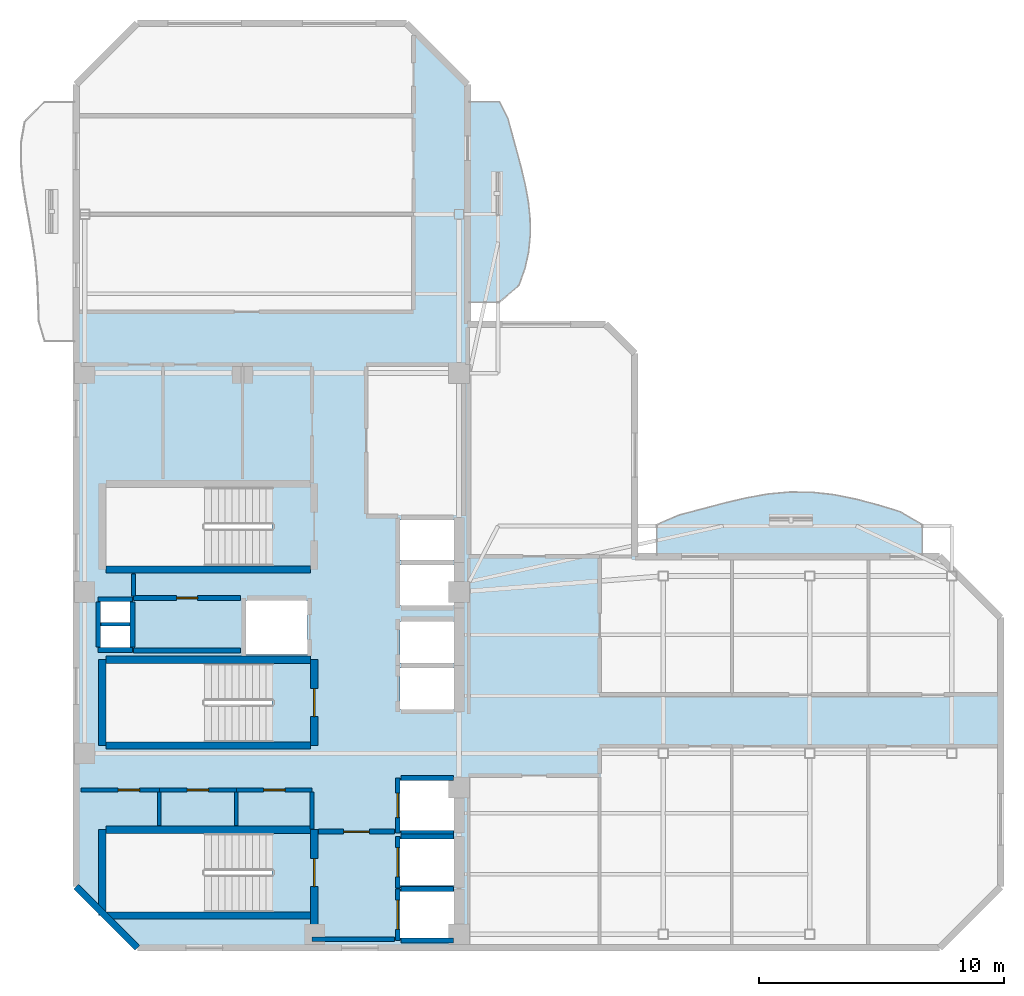
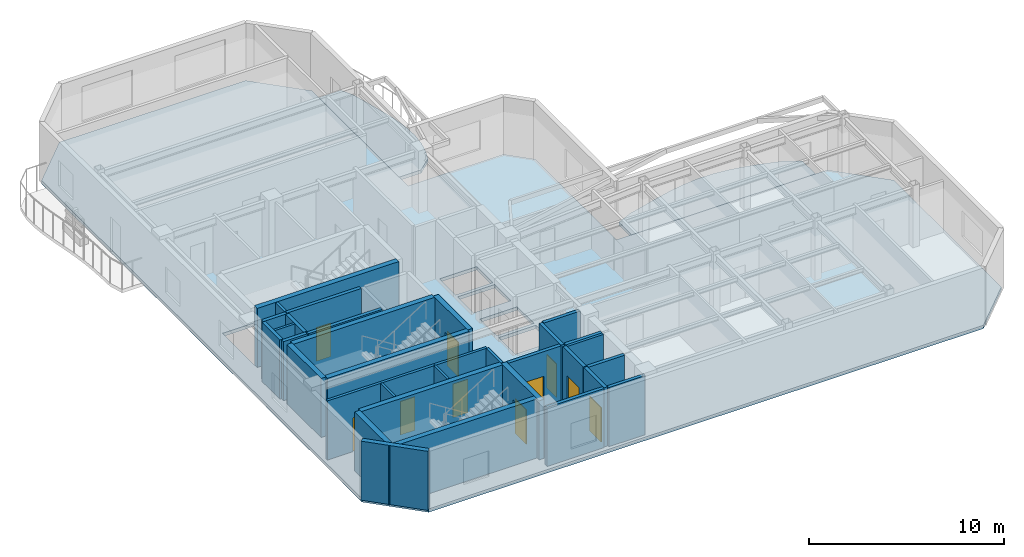
# One storey, part 2 of 7: 34 walls, 10 doors, 3 slabs, 10 openings.
"""IFC4 building model written with IfcOpenShell, lengths in metres."""

from ifc_helpers import new_model, si_unit, direction, frame, frame_2d, origin, place, context, subcontext, project, spatial, polyline, rectangle, outline, extrude, material, layer, layer_set, type_object, element, fill, save


model = new_model("IFC4")

# Units and contexts
model_context = context("Model", 3, precision=1e-05, world=origin(), true_north=direction((0.0, 1.0)))
body_context = subcontext(model_context, "Body", "Model", "MODEL_VIEW")
ifc_project = project(units=[si_unit("LENGTHUNIT", "METRE"), si_unit("AREAUNIT", "SQUARE_METRE"), si_unit("VOLUMEUNIT", "CUBIC_METRE"), si_unit("PLANEANGLEUNIT", "RADIAN"), si_unit("MASSUNIT", "GRAM", prefix="KILO")], contexts=[model_context])

# Site, building, storey
site_placement = place(None, origin())
site = spatial("IfcSite", under=ifc_project, at=site_placement, CompositionType="ELEMENT")
building_placement = place(site_placement, origin())
building = spatial("IfcBuilding", under=site, at=building_placement, Name="Mawjaban Terraces University", CompositionType="ELEMENT")
storey_placement = place(building_placement, frame((0.0, 0.0, 252.10009765625)))
storey = spatial("IfcBuildingStorey", under=building, at=storey_placement, Name="L61", CompositionType="ELEMENT", Elevation=252.10009765625)

# Slabs
ifc_material_1 = material(Name="Concrete C40/50", Category="concrete")
ifc_layer_1 = layer(ifc_material_1, 0.2099609375)
ifc_layer_set_1 = layer_set([ifc_layer_1], Name="Concrete C40/50")
slab_type_1 = type_object("IfcSlabType", Name="BalconySlab_210_Ext", PredefinedType="FLOOR", material=ifc_layer_set_1)
slab_1_placement = place(storey_placement, frame((0.0, 0.0, -0.210205078125)))
element("IfcSlab", 1, at=slab_1_placement, inside=storey, type_object=slab_type_1, Name="L61 Planted Balcony Slab inner_north", PredefinedType="FLOOR", context=body_context, shape_type="SweptSolid", body=[
    extrude(outline(polyline([(45.739990234375, 15.989990234375), (56.60009765625, 15.989990234375), (56.60009765625, 17.300048828125), (55.695068359375, 17.8310546875), (54.7900390625, 18.10693359375), (53.885009765625, 18.345947265625), (52.97998046875, 18.528076171875), (52.074951171875, 18.62890625), (51.169921875, 18.636962890625), (50.264892578125, 18.552001953125), (49.360107421875, 18.387939453125), (48.455078125, 18.172119140625), (47.550048828125, 17.931884765625), (46.64501953125, 17.694091796875), (45.739990234375, 17.300048828125), (45.739990234375, 15.989990234375)])), origin(), (0.0, 0.0, 1.0), 0.210205078125),
])
slab_2_placement = place(storey_placement, frame((0.0, 0.0, -0.210205078125)))
element("IfcSlab", 2, at=slab_2_placement, inside=storey, type_object=slab_type_1, Name="L61 Planted Balcony Slab inner_east", PredefinedType="FLOOR", context=body_context, shape_type="SweptSolid", body=[
    extrude(outline(polyline([(39.300048828125, 26.39990234375), (40.10009765625, 27.0830078125), (40.346923828125, 27.76708984375), (40.49609375, 28.449951171875), (40.56396484375, 29.133056640625), (40.55810546875, 29.81689453125), (40.487060546875, 30.5), (40.364013671875, 31.18310546875), (40.201904296875, 31.866943359375), (40.02099609375, 32.550048828125), (39.833984375, 33.23291015625), (39.64892578125, 33.9169921875), (39.300048828125, 34.60009765625), (37.989990234375, 34.60009765625), (37.989990234375, 26.39990234375), (39.300048828125, 26.39990234375)])), origin(), (0.0, 0.0, 1.0), 0.210205078125),
])
ifc_layer_2 = layer(ifc_material_1, 0.2099609375)
ifc_layer_set_2 = layer_set([ifc_layer_2], Name="Concrete C40/50")
slab_type_2 = type_object("IfcSlabType", Name="CompositeSlab_210", PredefinedType="FLOOR", material=ifc_layer_set_2)
slab_3_placement = place(storey_placement, frame((0.0, 0.0, -0.210205078125)))
element("IfcSlab", 3, at=slab_3_placement, inside=storey, type_object=slab_type_2, Name="L61 Primary Structural Slab", PredefinedType="FLOOR", context=body_context, shape_type="SweptSolid", body=[
    extrude(outline(polyline([(24.5, 0.0), (57.300048828125, 0.0), (59.800048828125, 2.5), (59.800048828125, 13.5), (57.300048828125, 16.0), (44.840087890625, 16.0), (44.840087890625, 24.300048828125), (43.639892578125, 25.5), (38.0, 25.5), (38.0, 35.300048828125), (35.5, 37.800048828125), (24.5, 37.800048828125), (22.0, 35.300048828125), (22.0, 2.5), (24.5, 0.0)]), holes=[polyline([(30.014892578125, 4.699951171875), (23.199951171875, 4.699951171875), (23.199951171875, 1.449951171875), (30.014892578125, 1.449951171875), (30.014892578125, 4.699951171875)]), polyline([(30.014892578125, 18.85009765625), (23.199951171875, 18.85009765625), (23.199951171875, 15.60009765625), (30.014892578125, 15.60009765625), (30.014892578125, 18.85009765625)]), polyline([(30.014892578125, 11.64990234375), (23.199951171875, 11.64990234375), (23.199951171875, 8.39990234375), (30.014892578125, 8.39990234375), (30.014892578125, 11.64990234375)]), polyline([(35.25, 0.39990234375), (37.449951171875, 0.39990234375), (37.449951171875, 2.300048828125), (35.25, 2.300048828125), (35.25, 0.39990234375)]), polyline([(35.25, 2.550048828125), (37.449951171875, 2.550048828125), (37.449951171875, 4.449951171875), (35.25, 4.449951171875), (35.25, 2.550048828125)]), polyline([(35.25, 4.800048828125), (37.449951171875, 4.800048828125), (37.449951171875, 6.85009765625), (35.25, 6.85009765625), (35.25, 4.800048828125)]), polyline([(35.25, 9.75), (37.449951171875, 9.75), (37.449951171875, 11.449951171875), (35.25, 11.449951171875), (35.25, 9.75)]), polyline([(35.25, 11.64990234375), (37.449951171875, 11.64990234375), (37.449951171875, 13.35009765625), (35.25, 13.35009765625), (35.25, 11.64990234375)]), polyline([(28.949951171875, 12.0), (31.449951171875, 12.0), (31.449951171875, 14.199951171875), (28.949951171875, 14.199951171875), (28.949951171875, 12.0)]), polyline([(35.25, 14.0), (37.449951171875, 14.0), (37.449951171875, 15.64990234375), (35.25, 15.64990234375), (35.25, 14.0)]), polyline([(35.25, 15.85009765625), (37.449951171875, 15.85009765625), (37.449951171875, 17.5), (35.25, 17.5), (35.25, 15.85009765625)]), polyline([(23.0, 12.25), (24.199951171875, 12.25), (24.199951171875, 13.14990234375), (23.0, 13.14990234375), (23.0, 12.25)]), polyline([(23.0, 13.300048828125), (24.199951171875, 13.300048828125), (24.199951171875, 14.179931640625), (23.0, 14.179931640625), (23.0, 13.300048828125)])]), origin(), (0.0, 0.0, 1.0), 0.210205078125),
])

# Wall, opening, door
ifc_material_2 = material(Name="Fire-rated gypsum board on steel stud", Category="steel")
ifc_layer_3 = layer(ifc_material_2, 0.159912109375)
ifc_layer_set_3 = layer_set([ifc_layer_3], Name="Fire-rated gypsum board on steel stud")
wall_type_1 = type_object("IfcWallType", Name="CorridorPartition_160", PredefinedType="PARTITIONING", material=ifc_layer_set_3)
wall_1_placement = place(storey_placement, frame((22.199951171875, 6.449951171875, 0.0), z_axis=(0.0, 0.0, 1.0), x_axis=(1.0, 0.0, 0.0)))
wall_1 = element("IfcWall", 4, at=wall_1_placement, inside=storey, type_object=wall_type_1, Name="L61 Core Washroom Lobby Partition 1", PredefinedType="PARTITIONING", context=body_context, shape_type="SweptSolid", body=[
    extrude(rectangle(XDim=3.199951171875, YDim=0.159912109375, at=frame_2d((1.60009765625, 0.0))), origin(), (0.0, 0.0, 1.0), 3.68994140625),
])
opening_1_placement = place(wall_1_placement, frame((1.510009765625, 0.0, 0.0)))
opening_1 = element("IfcOpeningElement", 5, at=opening_1_placement, cuts=wall_1, Name="Opening ID-088", PredefinedType="OPENING", context=body_context, shape_type="SweptSolid", body=[
    extrude(rectangle(XDim=0.8798828125, YDim=2.10009765625, at=frame_2d((0.43994140625, 1.050048828125))), frame((0.0, 0.08984375, 0.0), z_axis=(0.0, -1.0, 0.0), x_axis=(1.0, 0.0, 0.0)), (0.0, 0.0, 1.0), 0.179931640625),
])
ifc_material_3 = material(Name="Powder-coated steel frame and solid acoustic timber leaf", Category="steel")
door_type_1 = type_object("IfcDoorType", Name="ToiletDoor_880x2100", OperationType="NOTDEFINED", PredefinedType="DOOR", material=ifc_material_3)
door_1_placement = place(opening_1_placement, origin())
door_1 = element("IfcDoor", 6, at=door_1_placement, inside=storey, type_object=door_type_1, Name="L61 Male Toilet Door", OperationType="SINGLE_SWING_LEFT", OverallHeight=2.10009765625, OverallWidth=0.8798828125, PredefinedType="DOOR", context=body_context, shape_type="SweptSolid", body=[
    extrude(rectangle(XDim=0.8798828125, YDim=2.10009765625, at=frame_2d((0.43994140625, 1.050048828125))), frame((0.0, 0.02490234375, 0.0), z_axis=(0.0, -1.0, 0.0), x_axis=(1.0, 0.0, 0.0)), (0.0, 0.0, 1.0), 0.050048828125),
])
fill(opening_1, door_1)

wall_2_placement = place(storey_placement, frame((25.39990234375, 6.449951171875, 0.0), z_axis=(0.0, 0.0, 1.0), x_axis=(1.0, 0.0, 0.0)))
wall_2 = element("IfcWall", 7, at=wall_2_placement, inside=storey, type_object=wall_type_1, Name="L61 Core Washroom Lobby Partition 4", PredefinedType="PARTITIONING", context=body_context, shape_type="SweptSolid", body=[
    extrude(rectangle(XDim=3.150146484375, YDim=0.159912109375, at=frame_2d((1.5751953125, 0.0))), origin(), (0.0, 0.0, 1.0), 3.68994140625),
])
opening_2_placement = place(wall_2_placement, frame((1.135009765625, 0.0, 0.0)))
opening_2 = element("IfcOpeningElement", 8, at=opening_2_placement, cuts=wall_2, Name="Opening ID-088", PredefinedType="OPENING", context=body_context, shape_type="SweptSolid", body=[
    extrude(rectangle(XDim=0.8798828125, YDim=2.10009765625, at=frame_2d((0.43994140625, 1.050048828125))), frame((0.0, 0.08984375, 0.0), z_axis=(0.0, -1.0, 0.0), x_axis=(1.0, 0.0, 0.0)), (0.0, 0.0, 1.0), 0.179931640625),
])
door_2_placement = place(opening_2_placement, origin())
door_2 = element("IfcDoor", 9, at=door_2_placement, inside=storey, type_object=door_type_1, Name="L61 Female Toilet Door", OperationType="SINGLE_SWING_RIGHT", OverallHeight=2.10009765625, OverallWidth=0.8798828125, PredefinedType="DOOR", context=body_context, shape_type="SweptSolid", body=[
    extrude(rectangle(XDim=0.8798828125, YDim=2.10009765625, at=frame_2d((0.43994140625, 1.050048828125))), frame((0.0, 0.02490234375, 0.0), z_axis=(0.0, -1.0, 0.0), x_axis=(1.0, 0.0, 0.0)), (0.0, 0.0, 1.0), 0.050048828125),
])
fill(opening_2, door_2)

wall_3_placement = place(storey_placement, frame((28.550048828125, 6.449951171875, 0.0), z_axis=(0.0, 0.0, 1.0), x_axis=(1.0, 0.0, 0.0)))
wall_3 = element("IfcWall", 10, at=wall_3_placement, inside=storey, type_object=wall_type_1, Name="L61 Core Washroom Lobby Partition 6", PredefinedType="PARTITIONING", context=body_context, shape_type="SweptSolid", body=[
    extrude(rectangle(XDim=3.099853515625, YDim=0.159912109375, at=frame_2d((1.5498046875, 0.0))), origin(), (0.0, 0.0, 1.0), 3.68994140625),
])
opening_3_placement = place(wall_3_placement, frame((1.110107421875, 0.0, 0.0)))
opening_3 = element("IfcOpeningElement", 11, at=opening_3_placement, cuts=wall_3, Name="Opening ID-088", PredefinedType="OPENING", context=body_context, shape_type="SweptSolid", body=[
    extrude(rectangle(XDim=0.8798828125, YDim=2.10009765625, at=frame_2d((0.43994140625, 1.050048828125))), frame((0.0, 0.08984375, 0.0), z_axis=(0.0, -1.0, 0.0), x_axis=(1.0, 0.0, 0.0)), (0.0, 0.0, 1.0), 0.179931640625),
])
door_3_placement = place(opening_3_placement, origin())
door_3 = element("IfcDoor", 12, at=door_3_placement, inside=storey, type_object=door_type_1, Name="L61 Accessible Toilet Door", OperationType="SINGLE_SWING_LEFT", OverallHeight=2.10009765625, OverallWidth=0.8798828125, PredefinedType="DOOR", context=body_context, shape_type="SweptSolid", body=[
    extrude(rectangle(XDim=0.8798828125, YDim=2.10009765625, at=frame_2d((0.43994140625, 1.050048828125))), frame((0.0, 0.02490234375, 0.0), z_axis=(0.0, -1.0, 0.0), x_axis=(1.0, 0.0, 0.0)), (0.0, 0.0, 1.0), 0.050048828125),
])
fill(opening_3, door_3)

# Walls
wall_4_placement = place(storey_placement, frame((24.35009765625, 15.2900390625, 0.0), z_axis=(0.0, 0.0, 1.0), x_axis=(0.0, -1.0, 0.0)))
element("IfcWall", 13, at=wall_4_placement, inside=storey, type_object=wall_type_1, Name="L61 Core Riser Access Passage Partition 25", PredefinedType="PARTITIONING", context=body_context, shape_type="SweptSolid", body=[
    extrude(rectangle(XDim=0.89501953125, YDim=0.159912109375, at=frame_2d((0.447509765625, 0.0))), origin(), (0.0, 0.0, 1.0), 3.68994140625),
])
wall_5_placement = place(storey_placement, frame((31.64990234375, 4.860107421875, 0.0), z_axis=(0.0, 0.0, 1.0), x_axis=(0.0, 1.0, 0.0)))
element("IfcWall", 14, at=wall_5_placement, inside=storey, type_object=wall_type_1, Name="L61 Accessible Toilet Partition 30", PredefinedType="PARTITIONING", context=body_context, shape_type="SweptSolid", body=[
    extrude(rectangle(XDim=1.514892578125, YDim=0.159912109375, at=frame_2d((0.75732421875, 0.0))), origin(), (0.0, 0.0, 1.0), 3.68994140625),
])
ifc_material_4 = material(Name="Insulated terracotta rainscreen on concrete backup C40/50", Category="masonry")
ifc_layer_4 = layer(ifc_material_4, 0.27490234375)
ifc_layer_set_4 = layer_set([ifc_layer_4], Name="Insulated terracotta rainscreen on concrete backup C40/50")
wall_type_2 = type_object("IfcWallType", Name="ExtTerracottaWall_275", PredefinedType="SOLIDWALL", material=ifc_layer_set_4)
wall_6_placement = place(storey_placement, frame((22.0, 2.5, 0.0), z_axis=(0.0, 0.0, 1.0), x_axis=(0.707106781187, -0.707106781187, 0.0)))
element("IfcWall", 15, at=wall_6_placement, inside=storey, type_object=wall_type_2, Name="L61 Exterior Terracotta Wall 14", PredefinedType="SOLIDWALL", context=body_context, shape_type="SweptSolid", body=[
    extrude(rectangle(XDim=3.53564453125, YDim=0.27490234375, at=frame_2d((1.767822265625, 0.0))), origin(), (0.0, 0.0, 1.0), 3.68994140625),
])

# Wall, opening, door
ifc_layer_5 = layer(ifc_material_1, 0.199951171875)
ifc_layer_set_5 = layer_set([ifc_layer_5], Name="Concrete C40/50")
wall_type_3 = type_object("IfcWallType", Name="FireLobbyWall_200", PredefinedType="SOLIDWALL", material=ifc_layer_set_5)
wall_7_placement = place(storey_placement, frame((35.14990234375, 2.39990234375, 0.0), z_axis=(0.0, 0.0, 1.0), x_axis=(0.0, -1.0, 0.0)))
wall_7 = element("IfcWall", 16, at=wall_7_placement, inside=storey, type_object=wall_type_3, Name="L61 Lift FL-1 Hoistway Wall West", PredefinedType="SOLIDWALL", context=body_context, shape_type="SweptSolid", body=[
    extrude(rectangle(XDim=2.099853515625, YDim=0.199951171875, at=frame_2d((1.0498046875, 0.0))), origin(), (0.0, 0.0, 1.0), 3.68994140625),
])
opening_4_placement = place(wall_7_placement, frame((0.449951171875, 0.0, 0.0)))
opening_4 = element("IfcOpeningElement", 17, at=opening_4_placement, cuts=wall_7, Name="Opening LD-FL-1", PredefinedType="OPENING", context=body_context, shape_type="SweptSolid", body=[
    extrude(rectangle(XDim=1.199951171875, YDim=2.14990234375, at=frame_2d((0.60009765625, 1.074951171875))), frame((0.0, 0.10986328125, 0.0), z_axis=(0.0, -1.0, 0.0), x_axis=(1.0, 0.0, 0.0)), (0.0, 0.0, 1.0), 0.219970703125),
])
ifc_material_5 = material(Name="Powder-coated steel frame and fire-rated steel-faced leaf", Category="steel")
door_type_2 = type_object("IfcDoorType", Name="LiftLandingFSAE_1200x2150", OperationType="NOTDEFINED", PredefinedType="DOOR", material=ifc_material_5)
door_4_placement = place(opening_4_placement, origin())
door_4 = element("IfcDoor", 18, at=door_4_placement, inside=storey, type_object=door_type_2, Name="L61 Lift FL-1 Sliding Landing Door", OperationType="DOUBLE_DOOR_SLIDING", OverallHeight=2.14990234375, OverallWidth=1.199951171875, PredefinedType="DOOR", context=body_context, shape_type="SweptSolid", body=[
    extrude(rectangle(XDim=1.199951171875, YDim=2.14990234375, at=frame_2d((0.60009765625, 1.074951171875))), frame((0.0, 0.02490234375, 0.0), z_axis=(0.0, -1.0, 0.0), x_axis=(1.0, 0.0, 0.0)), (0.0, 0.0, 1.0), 0.050048828125),
])
fill(opening_4, door_4)

# Walls
for number, where, z_axis, x_axis, name in (
    (19, (35.280029296875, 0.300048828125, 0.0), (0.0, 0.0, 1.0), (1.0, 0.0, 0.0), "L61 Lift FL-1 Hoistway Wall South"),
    (20, (37.419921875, 2.39990234375, 0.0), (0.0, 0.0, 1.0), (-1.0, 0.0, 0.0), "L61 Lift FL-1 Hoistway Wall North"),
):
    element("IfcWall", number, at=place(storey_placement, frame(where, z_axis=z_axis, x_axis=x_axis)), inside=storey, type_object=wall_type_3, Name=name, PredefinedType="SOLIDWALL", context=body_context, shape_type="SweptSolid", body=[
        extrude(rectangle(XDim=2.139892578125, YDim=0.199951171875, at=frame_2d((1.06982421875, 0.0))), origin(), (0.0, 0.0, 1.0), 3.68994140625),
    ])

# Wall, opening, door
wall_8_placement = place(storey_placement, frame((35.14990234375, 4.550048828125, 0.0), z_axis=(0.0, 0.0, 1.0), x_axis=(0.0, -1.0, 0.0)))
wall_8 = element("IfcWall", 21, at=wall_8_placement, inside=storey, type_object=wall_type_3, Name="L61 Lift FL-2 Hoistway Wall West", PredefinedType="SOLIDWALL", context=body_context, shape_type="SweptSolid", body=[
    extrude(rectangle(XDim=2.10009765625, YDim=0.199951171875, at=frame_2d((1.050048828125, 0.0))), origin(), (0.0, 0.0, 1.0), 3.68994140625),
])
opening_5_placement = place(wall_8_placement, frame((0.449951171875, 0.0, 0.0)))
opening_5 = element("IfcOpeningElement", 22, at=opening_5_placement, cuts=wall_8, Name="Opening LD-FL-2", PredefinedType="OPENING", context=body_context, shape_type="SweptSolid", body=[
    extrude(rectangle(XDim=1.199951171875, YDim=2.14990234375, at=frame_2d((0.60009765625, 1.074951171875))), frame((0.0, 0.10986328125, 0.0), z_axis=(0.0, -1.0, 0.0), x_axis=(1.0, 0.0, 0.0)), (0.0, 0.0, 1.0), 0.219970703125),
])
door_5_placement = place(opening_5_placement, origin())
door_5 = element("IfcDoor", 23, at=door_5_placement, inside=storey, type_object=door_type_2, Name="L61 Lift FL-2 Sliding Landing Door", OperationType="DOUBLE_DOOR_SLIDING", OverallHeight=2.14990234375, OverallWidth=1.199951171875, PredefinedType="DOOR", context=body_context, shape_type="SweptSolid", body=[
    extrude(rectangle(XDim=1.199951171875, YDim=2.14990234375, at=frame_2d((0.60009765625, 1.074951171875))), frame((0.0, 0.02490234375, 0.0), z_axis=(0.0, -1.0, 0.0), x_axis=(1.0, 0.0, 0.0)), (0.0, 0.0, 1.0), 0.050048828125),
])
fill(opening_5, door_5)

# Wall
wall_9_placement = place(storey_placement, frame((37.419921875, 4.550048828125, 0.0), z_axis=(0.0, 0.0, 1.0), x_axis=(-1.0, 0.0, 0.0)))
element("IfcWall", 24, at=wall_9_placement, inside=storey, type_object=wall_type_3, Name="L61 Lift FL-2 Hoistway Wall North", PredefinedType="SOLIDWALL", context=body_context, shape_type="SweptSolid", body=[
    extrude(rectangle(XDim=2.139892578125, YDim=0.199951171875, at=frame_2d((1.06982421875, 0.0))), origin(), (0.0, 0.0, 1.0), 3.68994140625),
])

# Wall, opening, door
wall_10_placement = place(storey_placement, frame((35.14990234375, 6.949951171875, 0.0), z_axis=(0.0, 0.0, 1.0), x_axis=(0.0, -1.0, 0.0)))
wall_10 = element("IfcWall", 25, at=wall_10_placement, inside=storey, type_object=wall_type_3, Name="L61 Lift SL-1 Hoistway Wall West", PredefinedType="SOLIDWALL", context=body_context, shape_type="SweptSolid", body=[
    extrude(rectangle(XDim=2.25, YDim=0.199951171875, at=frame_2d((1.125, 0.0))), origin(), (0.0, 0.0, 1.0), 3.68994140625),
])
opening_6_placement = place(wall_10_placement, frame((0.625, 0.0, 0.0)))
opening_6 = element("IfcOpeningElement", 26, at=opening_6_placement, cuts=wall_10, Name="Opening LD-SL-1", PredefinedType="OPENING", context=body_context, shape_type="SweptSolid", body=[
    extrude(rectangle(XDim=1.0, YDim=2.10009765625, at=frame_2d((0.5, 1.050048828125))), frame((0.0, 0.10986328125, 0.0), z_axis=(0.0, -1.0, 0.0), x_axis=(1.0, 0.0, 0.0)), (0.0, 0.0, 1.0), 0.219970703125),
])
door_type_3 = type_object("IfcDoorType", Name="LiftLandingSliding_1000x2100", OperationType="NOTDEFINED", PredefinedType="DOOR", material=ifc_material_5)
door_6_placement = place(opening_6_placement, origin())
door_6 = element("IfcDoor", 27, at=door_6_placement, inside=storey, type_object=door_type_3, Name="L61 Lift SL-1 Sliding Landing Door", OperationType="DOUBLE_DOOR_SLIDING", OverallHeight=2.10009765625, OverallWidth=1.0, PredefinedType="DOOR", context=body_context, shape_type="SweptSolid", body=[
    extrude(rectangle(XDim=1.0, YDim=2.10009765625, at=frame_2d((0.5, 1.050048828125))), frame((0.0, 0.02490234375, 0.0), z_axis=(0.0, -1.0, 0.0), x_axis=(1.0, 0.0, 0.0)), (0.0, 0.0, 1.0), 0.050048828125),
])
fill(opening_6, door_6)

# Walls
for number, where, z_axis, x_axis, name in (
    (28, (35.280029296875, 4.699951171875, 0.0), (0.0, 0.0, 1.0), (1.0, 0.0, 0.0), "L61 Lift SL-1 Hoistway Wall South"),
    (29, (37.419921875, 6.949951171875, 0.0), (0.0, 0.0, 1.0), (-1.0, 0.0, 0.0), "L61 Lift SL-1 Hoistway Wall North"),
):
    element("IfcWall", number, at=place(storey_placement, frame(where, z_axis=z_axis, x_axis=x_axis)), inside=storey, type_object=wall_type_3, Name=name, PredefinedType="SOLIDWALL", context=body_context, shape_type="SweptSolid", body=[
        extrude(rectangle(XDim=2.139892578125, YDim=0.199951171875, at=frame_2d((1.06982421875, 0.0))), origin(), (0.0, 0.0, 1.0), 3.68994140625),
    ])
for number, where, z_axis, x_axis, name in (
    (30, (22.89990234375, 14.25, 0.0), (0.0, 0.0, 1.0), (1.0, 0.0, 0.0), "L61 MEP Riser Shaft Wall N"),
    (31, (22.89990234375, 12.179931640625, 0.0), (0.0, 0.0, 1.0), (1.0, 0.0, 0.0), "L61 MEP Riser Shaft Wall S"),
):
    element("IfcWall", number, at=place(storey_placement, frame(where, z_axis=z_axis, x_axis=x_axis)), inside=storey, type_object=wall_type_3, Name=name, PredefinedType="SOLIDWALL", context=body_context, shape_type="SweptSolid", body=[
        extrude(rectangle(XDim=1.400146484375, YDim=0.199951171875, at=frame_2d((0.7001953125, 0.0))), origin(), (0.0, 0.0, 1.0), 3.68994140625),
    ])
for number, where, z_axis, x_axis, name in (
    (32, (24.300048828125, 12.300048828125, 0.0), (0.0, 0.0, 1.0), (0.0, 1.0, 0.0), "L61 MEP Riser Shaft Wall E"),
    (33, (22.89990234375, 12.300048828125, 0.0), (0.0, 0.0, 1.0), (0.0, 1.0, 0.0), "L61 MEP Riser Shaft Wall W"),
):
    element("IfcWall", number, at=place(storey_placement, frame(where, z_axis=z_axis, x_axis=x_axis)), inside=storey, type_object=wall_type_3, Name=name, PredefinedType="SOLIDWALL", context=body_context, shape_type="SweptSolid", body=[
        extrude(rectangle(XDim=1.829833984375, YDim=0.199951171875, at=frame_2d((0.9150390625, 0.0))), origin(), (0.0, 0.0, 1.0), 3.68994140625),
    ])
wall_11_placement = place(storey_placement, frame((24.35009765625, 12.14990234375, 0.0), z_axis=(0.0, 0.0, 1.0), x_axis=(1.0, 0.0, 0.0)))
element("IfcWall", 34, at=wall_11_placement, inside=storey, type_object=wall_type_3, Name="L61 IT and Telecoms Riser Room Partition 2", PredefinedType="SOLIDWALL", context=body_context, shape_type="SweptSolid", body=[
    extrude(rectangle(XDim=4.369873046875, YDim=0.199951171875, at=frame_2d((2.18505859375, 0.0))), origin(), (0.0, 0.0, 1.0), 3.68994140625),
])

# Wall, opening, door
wall_12_placement = place(storey_placement, frame((24.35009765625, 14.300048828125, 0.0), z_axis=(0.0, 0.0, 1.0), x_axis=(1.0, 0.0, 0.0)))
wall_12 = element("IfcWall", 35, at=wall_12_placement, inside=storey, type_object=wall_type_3, Name="L61 Core Riser Access Passage Partition 3", PredefinedType="SOLIDWALL", context=body_context, shape_type="SweptSolid", body=[
    extrude(rectangle(XDim=4.369873046875, YDim=0.199951171875, at=frame_2d((2.18505859375, 0.0))), origin(), (0.0, 0.0, 1.0), 3.68994140625),
])
opening_7_placement = place(wall_12_placement, frame((1.760009765625, 0.0, 0.0)))
opening_7 = element("IfcOpeningElement", 36, at=opening_7_placement, cuts=wall_12, Name="Opening FD-085", PredefinedType="OPENING", context=body_context, shape_type="SweptSolid", body=[
    extrude(rectangle(XDim=0.85009765625, YDim=2.10009765625, at=frame_2d((0.425048828125, 1.050048828125))), frame((0.0, 0.10986328125, 0.0), z_axis=(0.0, -1.0, 0.0), x_axis=(1.0, 0.0, 0.0)), (0.0, 0.0, 1.0), 0.219970703125),
])
door_type_4 = type_object("IfcDoorType", Name="FireRiserDoor_850x2100", OperationType="NOTDEFINED", PredefinedType="DOOR", material=ifc_material_5)
door_7_placement = place(opening_7_placement, origin())
door_7 = element("IfcDoor", 37, at=door_7_placement, inside=storey, type_object=door_type_4, Name="L61 IT and Telecoms Riser Room Door", OperationType="SINGLE_SWING_RIGHT", OverallHeight=2.10009765625, OverallWidth=0.85009765625, PredefinedType="DOOR", context=body_context, shape_type="SweptSolid", body=[
    extrude(rectangle(XDim=0.85009765625, YDim=2.10009765625, at=frame_2d((0.425048828125, 1.050048828125))), frame((0.0, 0.02490234375, 0.0), z_axis=(0.0, -1.0, 0.0), x_axis=(1.0, 0.0, 0.0)), (0.0, 0.0, 1.0), 0.050048828125),
])
fill(opening_7, door_7)

# Wall
wall_13_placement = place(storey_placement, frame((31.64990234375, 0.35009765625, 0.0), z_axis=(0.0, 0.0, 1.0), x_axis=(1.0, 0.0, 0.0)))
element("IfcWall", 38, at=wall_13_placement, inside=storey, type_object=wall_type_3, Name="L61 Firefighting Lift Lobby Partition 8", PredefinedType="SOLIDWALL", context=body_context, shape_type="SweptSolid", body=[
    extrude(rectangle(XDim=3.3701171875, YDim=0.199951171875, at=frame_2d((1.68505859375, 0.0))), origin(), (0.0, 0.0, 1.0), 3.68994140625),
])

# Wall, opening, door
wall_14_placement = place(storey_placement, frame((35.02001953125, 4.75, 0.0), z_axis=(0.0, 0.0, 1.0), x_axis=(-1.0, 0.0, 0.0)))
wall_14 = element("IfcWall", 39, at=wall_14_placement, inside=storey, type_object=wall_type_3, Name="L61 Firefighting Lift Lobby Partition 11", PredefinedType="SOLIDWALL", context=body_context, shape_type="SweptSolid", body=[
    extrude(rectangle(XDim=3.110107421875, YDim=0.199951171875, at=frame_2d((1.55517578125, 0.0))), origin(), (0.0, 0.0, 1.0), 3.68994140625),
])
opening_8_placement = place(wall_14_placement, frame((1.030029296875, 0.0, 0.0)))
opening_8 = element("IfcOpeningElement", 40, at=opening_8_placement, cuts=wall_14, Name="Opening FD-105", PredefinedType="OPENING", context=body_context, shape_type="SweptSolid", body=[
    extrude(rectangle(XDim=1.050048828125, YDim=2.14990234375, at=frame_2d((0.52490234375, 1.074951171875))), frame((0.0, 0.10986328125, 0.0), z_axis=(0.0, -1.0, 0.0), x_axis=(1.0, 0.0, 0.0)), (0.0, 0.0, 1.0), 0.219970703125),
])
door_type_5 = type_object("IfcDoorType", Name="FireLobbyDoor_1050x2150", OperationType="NOTDEFINED", PredefinedType="DOOR", material=ifc_material_5)
door_8_placement = place(opening_8_placement, origin())
door_8 = element("IfcDoor", 41, at=door_8_placement, inside=storey, type_object=door_type_5, Name="L61 Firefighting Lift Lobby Door", OperationType="SINGLE_SWING_RIGHT", OverallHeight=2.14990234375, OverallWidth=1.050048828125, PredefinedType="DOOR", context=body_context, shape_type="SweptSolid", body=[
    extrude(rectangle(XDim=1.050048828125, YDim=2.14990234375, at=frame_2d((0.52490234375, 1.074951171875))), frame((0.0, 0.02490234375, 0.0), z_axis=(0.0, -1.0, 0.0), x_axis=(1.0, 0.0, 0.0)), (0.0, 0.0, 1.0), 0.050048828125),
])
fill(opening_8, door_8)

# Walls
ifc_material_6 = material(Name="Moisture-resistant gypsum board on steel stud", Category="steel")
ifc_layer_6 = layer(ifc_material_6, 0.14501953125)
ifc_layer_set_6 = layer_set([ifc_layer_6], Name="Moisture-resistant gypsum board on steel stud")
wall_type_4 = type_object("IfcWallType", Name="LabPartition_145", PredefinedType="PARTITIONING", material=ifc_layer_set_6)
wall_15_placement = place(storey_placement, frame((23.010009765625, 13.22509765625, 0.0), z_axis=(0.0, 0.0, 1.0), x_axis=(1.0, 0.0, 0.0)))
element("IfcWall", 42, at=wall_15_placement, inside=storey, type_object=wall_type_4, Name="L61 MEP Riser Shaft Wall M", PredefinedType="PARTITIONING", context=body_context, shape_type="SweptSolid", body=[
    extrude(rectangle(XDim=1.179931640625, YDim=0.14501953125, at=frame_2d((0.58984375, 0.0))), origin(), (0.0, 0.0, 1.0), 3.68994140625),
])
ifc_material_7 = material(Name="Concrete C60/75", Category="concrete")
ifc_layer_7 = layer(ifc_material_7, 0.300048828125)
ifc_layer_set_7 = layer_set([ifc_layer_7], Name="Concrete C60/75")
wall_type_5 = type_object("IfcWallType", Name="StairShaftWall_300", PredefinedType="SHEAR", material=ifc_layer_set_7)
wall_16_placement = place(storey_placement, frame((31.580078125, 4.830078125, 0.0), z_axis=(0.0, 0.0, 1.0), x_axis=(-1.0, 0.0, 0.0)))
element("IfcWall", 43, at=wall_16_placement, inside=storey, type_object=wall_type_5, Name="L61 ST-1 Stair Shaft Wall 1", PredefinedType="SHEAR", context=body_context, shape_type="SweptSolid", body=[
    extrude(rectangle(XDim=8.360107421875, YDim=0.300048828125, at=frame_2d((4.18017578125, 0.0))), origin(), (0.0, 0.0, 1.0), 3.68994140625),
])
wall_17_placement = place(storey_placement, frame((23.070068359375, 4.830078125, 0.0), z_axis=(0.0, 0.0, 1.0), x_axis=(0.0, -1.0, 0.0)))
element("IfcWall", 44, at=wall_17_placement, inside=storey, type_object=wall_type_5, Name="L61 ST-1 Stair Shaft Wall 2", PredefinedType="SHEAR", context=body_context, shape_type="SweptSolid", body=[
    extrude(rectangle(XDim=3.510009765625, YDim=0.300048828125, at=frame_2d((1.7548828125, 0.0))), origin(), (0.0, 0.0, 1.0), 3.68994140625),
])
wall_18_placement = place(storey_placement, frame((23.219970703125, 1.320068359375, 0.0), z_axis=(0.0, 0.0, 1.0), x_axis=(1.0, 0.0, 0.0)))
element("IfcWall", 45, at=wall_18_placement, inside=storey, type_object=wall_type_5, Name="L61 ST-1 Stair Shaft Wall 3", PredefinedType="SHEAR", context=body_context, shape_type="SweptSolid", body=[
    extrude(rectangle(XDim=8.360107421875, YDim=0.300048828125, at=frame_2d((4.18017578125, 0.0))), origin(), (0.0, 0.0, 1.0), 3.68994140625),
])

# Wall, opening, door
wall_19_placement = place(storey_placement, frame((31.72998046875, 0.9599609375, 0.0), z_axis=(0.0, 0.0, 1.0), x_axis=(0.0, 1.0, 0.0)))
wall_19 = element("IfcWall", 46, at=wall_19_placement, inside=storey, type_object=wall_type_5, Name="L61 ST-1 Stair Shaft Wall 4", PredefinedType="SHEAR", context=body_context, shape_type="SweptSolid", body=[
    extrude(rectangle(XDim=3.8701171875, YDim=0.300048828125, at=frame_2d((1.93505859375, 0.0))), origin(), (0.0, 0.0, 1.0), 3.68994140625),
])
opening_9_placement = place(wall_19_placement, frame((1.5400390625, 0.0, 0.0)))
opening_9 = element("IfcOpeningElement", 47, at=opening_9_placement, cuts=wall_19, Name="Opening FD-115", PredefinedType="OPENING", context=body_context, shape_type="SweptSolid", body=[
    extrude(rectangle(XDim=1.14990234375, YDim=2.14990234375, at=frame_2d((0.574951171875, 1.074951171875))), frame((0.0, 0.159912109375, 0.0), z_axis=(0.0, -1.0, 0.0), x_axis=(1.0, 0.0, 0.0)), (0.0, 0.0, 1.0), 0.320068359375),
])
door_type_6 = type_object("IfcDoorType", Name="FireStairDoor_1150x2150", OperationType="NOTDEFINED", PredefinedType="DOOR", material=ifc_material_5)
door_9_placement = place(opening_9_placement, origin())
door_9 = element("IfcDoor", 48, at=door_9_placement, inside=storey, type_object=door_type_6, Name="L61 ST-1 Pressurised Stair Fire Door", OperationType="SINGLE_SWING_LEFT", OverallHeight=2.14990234375, OverallWidth=1.14990234375, PredefinedType="DOOR", context=body_context, shape_type="SweptSolid", body=[
    extrude(rectangle(XDim=1.14990234375, YDim=2.14990234375, at=frame_2d((0.574951171875, 1.074951171875))), frame((0.0, 0.02490234375, 0.0), z_axis=(0.0, -1.0, 0.0), x_axis=(1.0, 0.0, 0.0)), (0.0, 0.0, 1.0), 0.050048828125),
])
fill(opening_9, door_9)

# Walls
for number, where, z_axis, x_axis, name in (
    (49, (23.219970703125, 15.469970703125, 0.0), (0.0, 0.0, 1.0), (1.0, 0.0, 0.0), "L61 ST-2 Stair Shaft Wall 3"),
    (50, (31.580078125, 11.780029296875, 0.0), (0.0, 0.0, 1.0), (-1.0, 0.0, 0.0), "L61 ST-3 Stair Shaft Wall 1"),
):
    element("IfcWall", number, at=place(storey_placement, frame(where, z_axis=z_axis, x_axis=x_axis)), inside=storey, type_object=wall_type_5, Name=name, PredefinedType="SHEAR", context=body_context, shape_type="SweptSolid", body=[
        extrude(rectangle(XDim=8.360107421875, YDim=0.300048828125, at=frame_2d((4.18017578125, 0.0))), origin(), (0.0, 0.0, 1.0), 3.68994140625),
    ])
wall_20_placement = place(storey_placement, frame((23.070068359375, 11.780029296875, 0.0), z_axis=(0.0, 0.0, 1.0), x_axis=(0.0, -1.0, 0.0)))
element("IfcWall", 51, at=wall_20_placement, inside=storey, type_object=wall_type_5, Name="L61 ST-3 Stair Shaft Wall 2", PredefinedType="SHEAR", context=body_context, shape_type="SweptSolid", body=[
    extrude(rectangle(XDim=3.510009765625, YDim=0.300048828125, at=frame_2d((1.7548828125, 0.0))), origin(), (0.0, 0.0, 1.0), 3.68994140625),
])
wall_21_placement = place(storey_placement, frame((23.219970703125, 8.27001953125, 0.0), z_axis=(0.0, 0.0, 1.0), x_axis=(1.0, 0.0, 0.0)))
element("IfcWall", 52, at=wall_21_placement, inside=storey, type_object=wall_type_5, Name="L61 ST-3 Stair Shaft Wall 3", PredefinedType="SHEAR", context=body_context, shape_type="SweptSolid", body=[
    extrude(rectangle(XDim=8.360107421875, YDim=0.300048828125, at=frame_2d((4.18017578125, 0.0))), origin(), (0.0, 0.0, 1.0), 3.68994140625),
])

# Wall, opening, door
wall_22_placement = place(storey_placement, frame((31.72998046875, 8.27001953125, 0.0), z_axis=(0.0, 0.0, 1.0), x_axis=(0.0, 1.0, 0.0)))
wall_22 = element("IfcWall", 53, at=wall_22_placement, inside=storey, type_object=wall_type_5, Name="L61 ST-3 Stair Shaft Wall 4", PredefinedType="SHEAR", context=body_context, shape_type="SweptSolid", body=[
    extrude(rectangle(XDim=3.510009765625, YDim=0.300048828125, at=frame_2d((1.7548828125, 0.0))), origin(), (0.0, 0.0, 1.0), 3.68994140625),
])
opening_10_placement = place(wall_22_placement, frame((1.179931640625, 0.0, 0.0)))
opening_10 = element("IfcOpeningElement", 54, at=opening_10_placement, cuts=wall_22, Name="Opening FD-115", PredefinedType="OPENING", context=body_context, shape_type="SweptSolid", body=[
    extrude(rectangle(XDim=1.14990234375, YDim=2.14990234375, at=frame_2d((0.574951171875, 1.074951171875))), frame((0.0, 0.159912109375, 0.0), z_axis=(0.0, -1.0, 0.0), x_axis=(1.0, 0.0, 0.0)), (0.0, 0.0, 1.0), 0.320068359375),
])
door_10_placement = place(opening_10_placement, origin())
door_10 = element("IfcDoor", 55, at=door_10_placement, inside=storey, type_object=door_type_6, Name="L61 ST-3 Pressurised Stair Fire Door", OperationType="SINGLE_SWING_LEFT", OverallHeight=2.14990234375, OverallWidth=1.14990234375, PredefinedType="DOOR", context=body_context, shape_type="SweptSolid", body=[
    extrude(rectangle(XDim=1.14990234375, YDim=2.14990234375, at=frame_2d((0.574951171875, 1.074951171875))), frame((0.0, 0.02490234375, 0.0), z_axis=(0.0, -1.0, 0.0), x_axis=(1.0, 0.0, 0.0)), (0.0, 0.0, 1.0), 0.050048828125),
])
fill(opening_10, door_10)

# Walls
ifc_material_8 = material(Name="Cement-board wet-room partition", Category="masonry")
ifc_layer_8 = layer(ifc_material_8, 0.135009765625)
ifc_layer_set_8 = layer_set([ifc_layer_8], Name="Cement-board wet-room partition")
wall_type_6 = type_object("IfcWallType", Name="WetRoomPartition_135", PredefinedType="PARTITIONING", material=ifc_layer_set_8)
for number, where, z_axis, x_axis, name in (
    (56, (25.39990234375, 5.010009765625, 0.0), (0.0, 0.0, 1.0), (0.0, 1.0, 0.0), "L61 Male Toilet Partition 26"),
    (57, (28.550048828125, 5.010009765625, 0.0), (0.0, 0.0, 1.0), (0.0, 1.0, 0.0), "L61 Female Toilet Partition 28"),
):
    element("IfcWall", number, at=place(storey_placement, frame(where, z_axis=z_axis, x_axis=x_axis)), inside=storey, type_object=wall_type_6, Name=name, PredefinedType="PARTITIONING", context=body_context, shape_type="SweptSolid", body=[
        extrude(rectangle(XDim=1.364990234375, YDim=0.135009765625, at=frame_2d((0.6826171875, 0.0))), origin(), (0.0, 0.0, 1.0), 3.68994140625),
    ])

save(model, "model.ifc")
